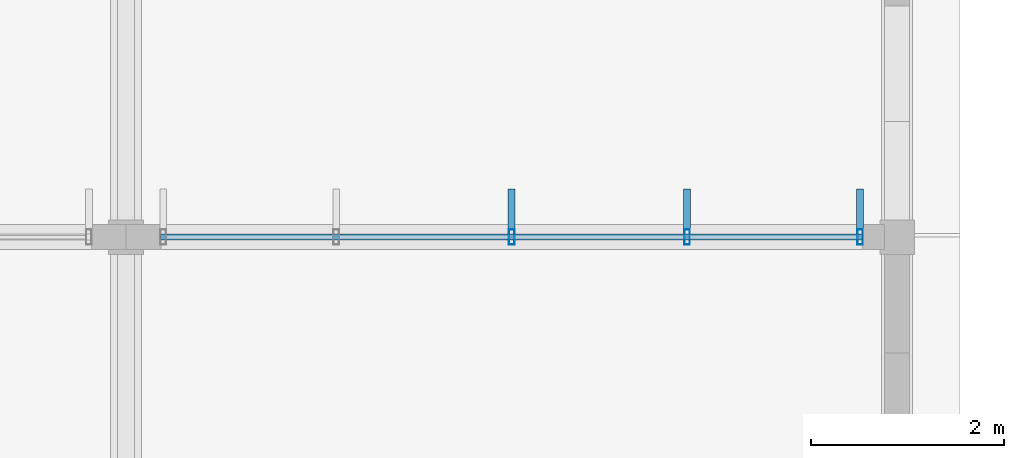
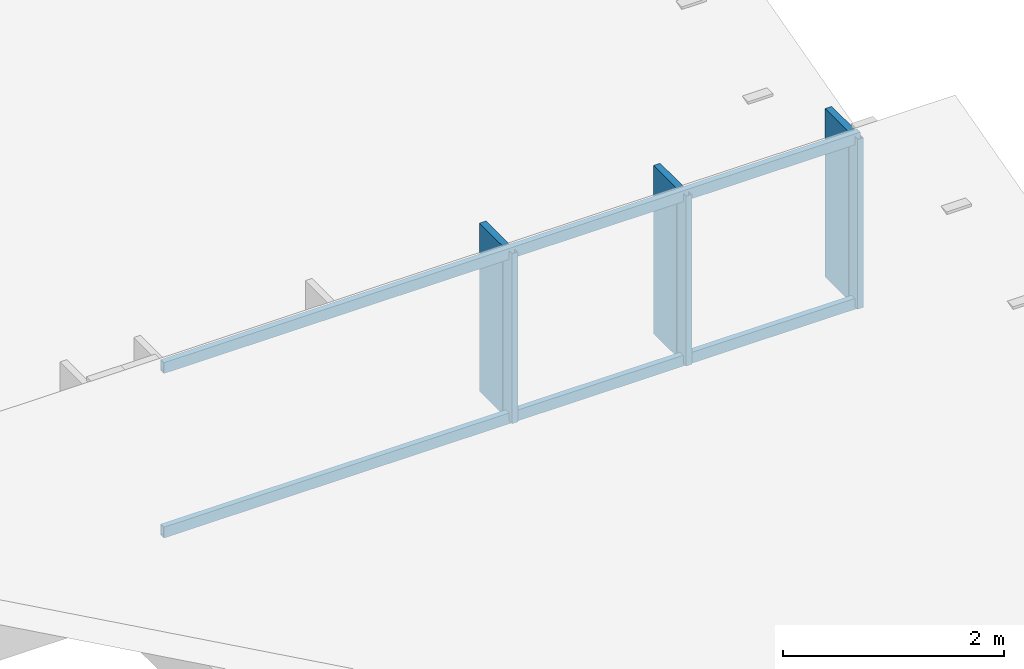
# One storey, part 33 of 94: 8 members, 1 element without a shape of its own.
"""IFC4 building model written with IfcOpenShell, lengths in metres."""

from ifc_helpers import new_model, si_unit, direction, frame, origin, origin_2d, place, context, subcontext, project, spatial, rectangle, hollow_rectangle, extrude, material, material_profile, profile_set, type_object, element, aggregate, save


model = new_model("IFC4")

# Units and contexts
model_context = context("Model", 3, precision=1e-05, world=origin(), true_north=direction((0.0, 1.0)))
body_context = subcontext(model_context, "Body", "Model", "MODEL_VIEW")
ifc_project = project(units=[si_unit("LENGTHUNIT", "METRE"), si_unit("AREAUNIT", "SQUARE_METRE"), si_unit("VOLUMEUNIT", "CUBIC_METRE"), si_unit("PLANEANGLEUNIT", "RADIAN"), si_unit("MASSUNIT", "GRAM", prefix="KILO")], contexts=[model_context])

# Site, building, storey
site_placement = place(None, origin())
site = spatial("IfcSite", under=ifc_project, at=site_placement, CompositionType="ELEMENT")
building_placement = place(site_placement, origin())
building = spatial("IfcBuilding", under=site, at=building_placement, Name="Chiffa Square Polytechnic", CompositionType="ELEMENT")
storey_placement = place(building_placement, frame((0.0, 0.0, 18.0)))
storey = spatial("IfcBuildingStorey", under=building, at=storey_placement, Name="L04", CompositionType="ELEMENT", Elevation=18.0)

# Curtain wall, members
ifc_material_1 = material(Name="Aluminium EN AW-6060 T66 and glulam shading", Category="wood")
curtain_wall_type = type_object("IfcCurtainWallType", Name="CW-VERT-450X380", PredefinedType="USERDEFINED", material=ifc_material_1)
curtain_wall_placement = place(storey_placement, origin())
curtain_wall = element("IfcCurtainWall", 1, at=curtain_wall_placement, inside=storey, type_object=curtain_wall_type, Name="Curtain wall CW-V6-SAW6-4", ObjectType="CURTAIN WALL", PredefinedType="USERDEFINED")
ifc_material_2 = material(Name="Aluminium EN AW-6060 T66", Category="aluminium")
ifc_material_profile_1 = material_profile(ifc_material_2, hollow_rectangle(XDim=0.06005859375, YDim=0.159912109375, WallThickness=0.00390625, at=origin_2d()), Name="ALU 60x160x4")
ifc_profile_set_1 = profile_set([ifc_material_profile_1], Name="Aluminium EN AW-6060 T66")
member_type_1 = type_object("IfcMemberType", Name="CWM-ALU-65X150", PredefinedType="MULLION", material=ifc_profile_set_1)
member_1_placement = place(storey_placement, frame((31.614990234375, 79.800048828125, 0.699951171875), z_axis=(0.0, 0.0, 1.0), x_axis=(1.0, 0.0, 0.0)))
member_1 = element("IfcMember", 2, at=member_1_placement, type_object=member_type_1, Name="Curtain wall mullion CW-V6-SAW6-4-M00", PredefinedType="MULLION", context=body_context, shape_type="SweptSolid", body=[
    extrude(hollow_rectangle(XDim=0.06005859375, YDim=0.159912109375, WallThickness=0.00390625, at=origin_2d()), origin(), (0.0, 0.0, 1.0), 1.879150390625),
])
member_2_placement = place(storey_placement, frame((29.820068359375, 79.800048828125, 0.699951171875), z_axis=(0.0, 0.0, 1.0), x_axis=(1.0, 0.0, 0.0)))
member_2 = element("IfcMember", 3, at=member_2_placement, type_object=member_type_1, Name="Curtain wall mullion CW-V6-SAW6-4-M01", PredefinedType="MULLION", context=body_context, shape_type="SweptSolid", body=[
    extrude(hollow_rectangle(XDim=0.06005859375, YDim=0.159912109375, WallThickness=0.00390625, at=origin_2d()), origin(), (0.0, 0.0, 1.0), 1.879150390625),
])
member_3_placement = place(storey_placement, frame((28.0, 79.800048828125, 0.699951171875), z_axis=(0.0, 0.0, 1.0), x_axis=(1.0, 0.0, 0.0)))
member_3 = element("IfcMember", 4, at=member_3_placement, type_object=member_type_1, Name="Curtain wall mullion CW-V6-SAW6-4-M02", PredefinedType="MULLION", context=body_context, shape_type="SweptSolid", body=[
    extrude(hollow_rectangle(XDim=0.06005859375, YDim=0.159912109375, WallThickness=0.00390625, at=origin_2d()), origin(), (0.0, 0.0, 1.0), 1.879150390625),
])
ifc_material_3 = material(Name="Glulam GL28h", Category="wood")
ifc_material_profile_2 = material_profile(ifc_material_3, rectangle(XDim=0.070068359375, YDim=0.419921875, at=origin_2d()), Name="GL28h 70x420")
ifc_profile_set_2 = profile_set([ifc_material_profile_2], Name="Glulam GL28h")
member_type_2 = type_object("IfcMemberType", Name="CWM-GL-70X420", PredefinedType="MULLION", material=ifc_profile_set_2)
member_4_placement = place(storey_placement, frame((31.614990234375, 80.092041015625, 0.7099609375), z_axis=(0.0, 0.0, 1.0), x_axis=(-1.0, 0.0, 0.0)))
member_4 = element("IfcMember", 5, at=member_4_placement, type_object=member_type_2, Name="Exterior glulam solar fin CW-V6-SAW6-4-FN00", PredefinedType="MULLION", context=body_context, shape_type="SweptSolid", body=[
    extrude(rectangle(XDim=0.070068359375, YDim=0.419921875, at=origin_2d()), origin(), (0.0, 0.0, 1.0), 1.859130859375),
])
member_5_placement = place(storey_placement, frame((29.820068359375, 80.092041015625, 0.7099609375), z_axis=(0.0, 0.0, 1.0), x_axis=(-1.0, 0.0, 0.0)))
member_5 = element("IfcMember", 6, at=member_5_placement, type_object=member_type_2, Name="Exterior glulam solar fin CW-V6-SAW6-4-FN01", PredefinedType="MULLION", context=body_context, shape_type="SweptSolid", body=[
    extrude(rectangle(XDim=0.070068359375, YDim=0.419921875, at=origin_2d()), origin(), (0.0, 0.0, 1.0), 1.859130859375),
])
member_6_placement = place(storey_placement, frame((28.0, 80.092041015625, 0.7099609375), z_axis=(0.0, 0.0, 1.0), x_axis=(-1.0, 0.0, 0.0)))
member_6 = element("IfcMember", 7, at=member_6_placement, type_object=member_type_2, Name="Exterior glulam solar fin CW-V6-SAW6-4-FN02", PredefinedType="MULLION", context=body_context, shape_type="SweptSolid", body=[
    extrude(rectangle(XDim=0.070068359375, YDim=0.419921875, at=origin_2d()), origin(), (0.0, 0.0, 1.0), 1.859130859375),
])
ifc_material_profile_3 = material_profile(ifc_material_2, hollow_rectangle(XDim=0.06005859375, YDim=0.1201171875, WallThickness=0.00390625, at=origin_2d()), Name="ALU 60x120x4")
ifc_profile_set_3 = profile_set([ifc_material_profile_3], Name="Aluminium EN AW-6060 T66")
member_type_3 = type_object("IfcMemberType", Name="CWT-ALU-65X120", PredefinedType="USERDEFINED", material=ifc_profile_set_3)
member_7_placement = place(storey_placement, frame((31.64208984375, 79.800048828125, 0.72998046875), z_axis=(-1.0, 0.0, 0.0), x_axis=(0.0, -1.0, 0.0)))
member_7 = element("IfcMember", 8, at=member_7_placement, type_object=member_type_3, Name="Curtain wall transom CW-V6-SAW6-4-T01", ObjectType="TRANSOM", PredefinedType="USERDEFINED", context=body_context, shape_type="SweptSolid", body=[
    extrude(hollow_rectangle(XDim=0.06005859375, YDim=0.1201171875, WallThickness=0.00390625, at=origin_2d()), origin(), (0.0, 0.0, 1.0), 7.2841796875),
])
member_8_placement = place(storey_placement, frame((31.64208984375, 79.800048828125, 2.549072265625), z_axis=(-1.0, 0.0, 0.0), x_axis=(0.0, -1.0, 0.0)))
member_8 = element("IfcMember", 9, at=member_8_placement, type_object=member_type_3, Name="Curtain wall transom CW-V6-SAW6-4-T02", ObjectType="TRANSOM", PredefinedType="USERDEFINED", context=body_context, shape_type="SweptSolid", body=[
    extrude(hollow_rectangle(XDim=0.06005859375, YDim=0.1201171875, WallThickness=0.00390625, at=origin_2d()), origin(), (0.0, 0.0, 1.0), 7.2841796875),
])
aggregate(curtain_wall, [member_1, member_4, member_2, member_5, member_3, member_6, member_7, member_8])

save(model, "model.ifc")
